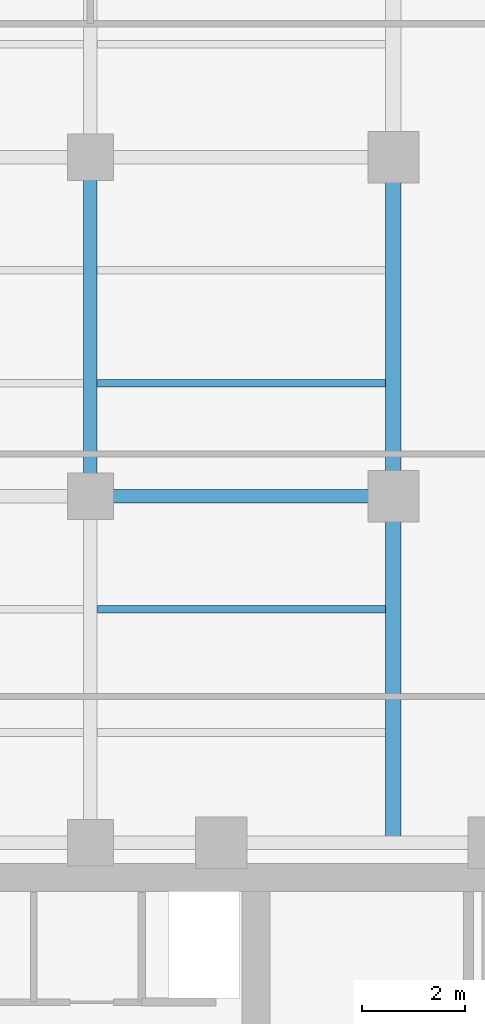
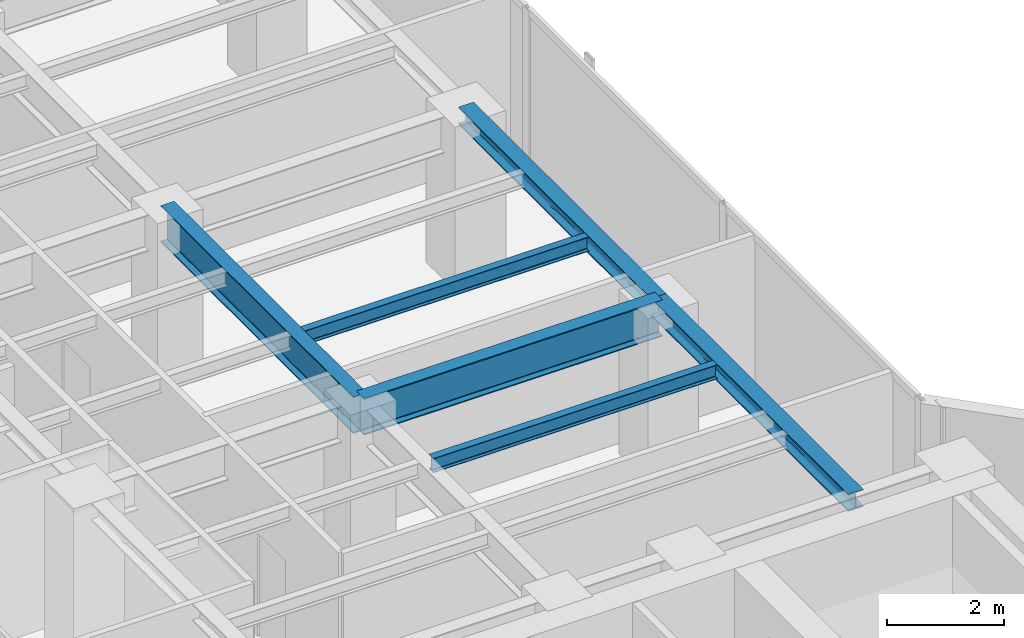
# One storey, part 9 of 24: 6 beams.
"""IFC4 building model written with IfcOpenShell, lengths in metres."""

from ifc_helpers import new_model, si_unit, direction, frame, origin, origin_2d, place, context, subcontext, project, spatial, i_section, extrude, material, material_profile, profile_set, type_object, element, save


model = new_model("IFC4")

# Units and contexts
model_context = context("Model", 3, precision=1e-05, world=origin(), true_north=direction((0.0, 1.0)))
body_context = subcontext(model_context, "Body", "Model", "MODEL_VIEW")
ifc_project = project(units=[si_unit("LENGTHUNIT", "METRE"), si_unit("AREAUNIT", "SQUARE_METRE"), si_unit("VOLUMEUNIT", "CUBIC_METRE"), si_unit("PLANEANGLEUNIT", "RADIAN"), si_unit("MASSUNIT", "GRAM", prefix="KILO")], contexts=[model_context])

# Site, building, storey
site_placement = place(None, origin())
site = spatial("IfcSite", under=ifc_project, at=site_placement, CompositionType="ELEMENT")
building_placement = place(site_placement, origin())
building = spatial("IfcBuilding", under=site, at=building_placement, Name="Kolvaren Waterfront Exchange", CompositionType="ELEMENT")
storey_placement = place(building_placement, frame((0.0, 0.0, 253.89990234375)))
storey = spatial("IfcBuildingStorey", under=building, at=storey_placement, Name="L65", CompositionType="ELEMENT", Elevation=253.89990234375)

# Beams
ifc_material = material(Name="Steel S355", Category="steel")
ifc_material_profile_1 = material_profile(ifc_material, i_section(OverallWidth=0.300048828125, OverallDepth=0.360107421875, WebThickness=0.012451171875, FlangeThickness=0.0224609375, FilletRadius=0.027099609375, at=origin_2d()), Name="HEB360")
ifc_profile_set_1 = profile_set([ifc_material_profile_1], Name="Steel S355")
beam_type_1 = type_object("IfcBeamType", Name="STR-BM-HEB360", PredefinedType="SPANDREL", material=ifc_profile_set_1)
beam_1_placement = place(storey_placement, frame((18.800048828125, 24.449951171875, 3.239990234375), z_axis=(0.0, 1.0, 0.0), x_axis=(-1.0, 0.0, 0.0)))
element("IfcBeam", 1, at=beam_1_placement, inside=storey, type_object=beam_type_1, Name="L65 north-arm edge beam 1", PredefinedType="SPANDREL", context=body_context, shape_type="SweptSolid", body=[
    extrude(i_section(OverallWidth=0.300048828125, OverallDepth=0.360107421875, WebThickness=0.012451171875, FlangeThickness=0.0224609375, FilletRadius=0.027099609375, at=origin_2d()), origin(), (0.0, 0.0, 1.0), 6.75),
])
beam_2_placement = place(storey_placement, frame((18.800048828125, 31.199951171875, 3.239990234375), z_axis=(0.0, 1.0, 0.0), x_axis=(-1.0, 0.0, 0.0)))
element("IfcBeam", 2, at=beam_2_placement, inside=storey, type_object=beam_type_1, Name="L65 north-arm edge beam 2", PredefinedType="SPANDREL", context=body_context, shape_type="SweptSolid", body=[
    extrude(i_section(OverallWidth=0.300048828125, OverallDepth=0.360107421875, WebThickness=0.012451171875, FlangeThickness=0.0224609375, FilletRadius=0.027099609375, at=origin_2d()), origin(), (0.0, 0.0, 1.0), 6.60009765625),
])
ifc_material_profile_2 = material_profile(ifc_material, i_section(OverallWidth=0.14990234375, OverallDepth=0.300048828125, WebThickness=0.007080078125, FlangeThickness=0.0107421875, FilletRadius=0.014892578125, at=origin_2d()), Name="IPE300")
ifc_profile_set_2 = profile_set([ifc_material_profile_2], Name="Steel S355")
beam_type_2 = type_object("IfcBeamType", Name="STR-BM-IPE300", PredefinedType="JOIST", material=ifc_profile_set_2)
for number, where, z_axis, x_axis, name in (
    (3, (13.035400390625, 29.0, 3.27001953125), (1.0, 0.0, 0.0), (0.0, 1.0, 0.0), "L65 north-arm composite joist 2B"),
    (4, (13.035400390625, 33.39990234375, 3.27001953125), (1.0, 0.0, 0.0), (0.0, 1.0, 0.0), "L65 north-arm composite joist 3B"),
):
    element("IfcBeam", number, at=place(storey_placement, frame(where, z_axis=z_axis, x_axis=x_axis)), inside=storey, type_object=beam_type_2, Name=name, PredefinedType="JOIST", context=body_context, shape_type="SweptSolid", body=[
        extrude(i_section(OverallWidth=0.14990234375, OverallDepth=0.300048828125, WebThickness=0.007080078125, FlangeThickness=0.0107421875, FilletRadius=0.014892578125, at=origin_2d()), origin(), (0.0, 0.0, 1.0), 5.612548828125),
    ])
ifc_material_profile_3 = material_profile(ifc_material, i_section(OverallWidth=0.26708984375, OverallDepth=0.761962890625, WebThickness=0.014404296875, FlangeThickness=0.021484375, FilletRadius=0.01708984375, at=origin_2d()), Name="IPE750x173")
ifc_profile_set_3 = profile_set([ifc_material_profile_3], Name="Steel S355")
beam_type_3 = type_object("IfcBeamType", Name="STR-BM-IPE750", PredefinedType="BEAM", material=ifc_profile_set_3)
beam_3_placement = place(storey_placement, frame((12.89990234375, 31.199951171875, 3.0390625), z_axis=(1.0, 0.0, 0.0), x_axis=(0.0, 1.0, 0.0)))
element("IfcBeam", 5, at=beam_3_placement, inside=storey, type_object=beam_type_3, Name="L65 north-arm girder 2B", PredefinedType="BEAM", context=body_context, shape_type="SweptSolid", body=[
    extrude(i_section(OverallWidth=0.26708984375, OverallDepth=0.761962890625, WebThickness=0.014404296875, FlangeThickness=0.021484375, FilletRadius=0.01708984375, at=origin_2d()), origin(), (0.0, 0.0, 1.0), 5.900146484375),
])
beam_4_placement = place(storey_placement, frame((12.89990234375, 31.199951171875, 3.0390625), z_axis=(0.0, 1.0, 0.0), x_axis=(-1.0, 0.0, 0.0)))
element("IfcBeam", 6, at=beam_4_placement, inside=storey, type_object=beam_type_3, Name="L65 north-arm edge beam 2", PredefinedType="BEAM", context=body_context, shape_type="SweptSolid", body=[
    extrude(i_section(OverallWidth=0.26708984375, OverallDepth=0.761962890625, WebThickness=0.014404296875, FlangeThickness=0.021484375, FilletRadius=0.01708984375, at=origin_2d()), origin(), (0.0, 0.0, 1.0), 6.60009765625),
])

save(model, "model.ifc")
